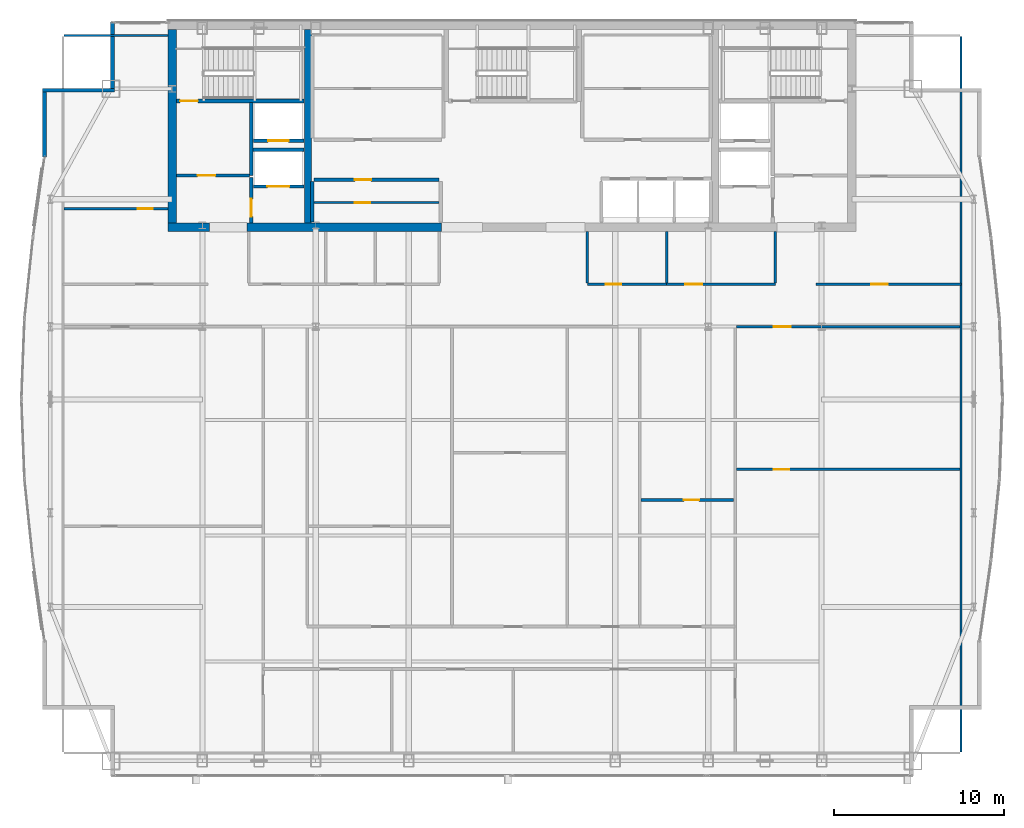
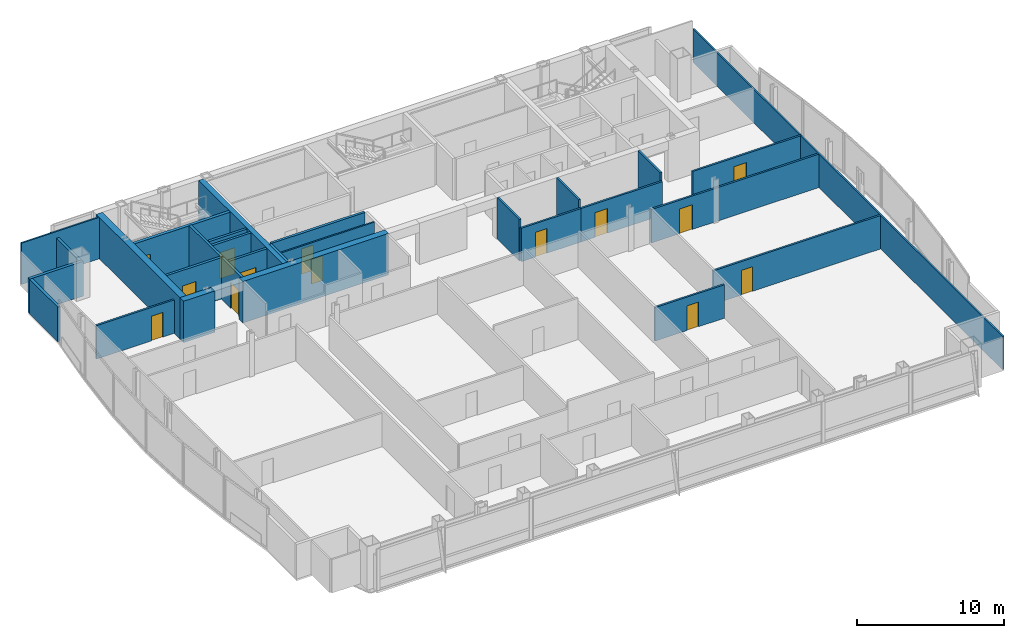
# One storey, part 26 of 30: 29 walls, 14 doors, 14 openings.
"""IFC4 building model written with IfcOpenShell, lengths in metres."""

from ifc_helpers import new_model, si_unit, direction, frame, frame_2d, origin, place, context, subcontext, project, spatial, rectangle, extrude, material, layer, layer_set, type_object, element, fill, save


model = new_model("IFC4")

# Units and contexts
model_context = context("Model", 3, precision=1e-05, world=origin(), true_north=direction((0.0, 1.0)))
body_context = subcontext(model_context, "Body", "Model", "MODEL_VIEW")
ifc_project = project(units=[si_unit("LENGTHUNIT", "METRE"), si_unit("AREAUNIT", "SQUARE_METRE"), si_unit("VOLUMEUNIT", "CUBIC_METRE"), si_unit("PLANEANGLEUNIT", "RADIAN"), si_unit("MASSUNIT", "GRAM", prefix="KILO")], contexts=[model_context])

# Site, building, storey
site_placement = place(None, origin())
site = spatial("IfcSite", under=ifc_project, at=site_placement, CompositionType="ELEMENT")
building_placement = place(site_placement, origin())
building = spatial("IfcBuilding", under=site, at=building_placement, Name="Khoronbel Lancet Exchange", CompositionType="ELEMENT")
storey_placement = place(building_placement, frame((0.0, 0.0, 280.60009765625)))
storey = spatial("IfcBuildingStorey", under=building, at=storey_placement, Name="L72", CompositionType="ELEMENT", Elevation=280.60009765625)

# Walls
ifc_material_1 = material(Name="Concrete C60/75", Category="concrete")
ifc_layer_1 = layer(ifc_material_1, 0.5, Name="Concrete C60/75")
ifc_layer_set_1 = layer_set([ifc_layer_1], Name="Concrete C60/75")
wall_type_1 = type_object("IfcWallType", Name="WL-CW4", PredefinedType="SHEAR", material=ifc_layer_set_1)
wall_1_placement = place(storey_placement, frame((16.449951171875, 41.800048828125, 0.0), z_axis=(0.0, 0.0, 1.0), x_axis=(0.0, 1.0, 0.0)))
element("IfcWall", 1, at=wall_1_placement, inside=storey, type_object=wall_type_1, Name="Level L72 rear core west shear wall", PredefinedType="SHEAR", context=body_context, shape_type="SweptSolid", body=[
    extrude(rectangle(XDim=11.39990234375, YDim=0.5, at=frame_2d((5.699951171875, 0.0))), origin(), (0.0, 0.0, 1.0), 3.43994140625),
])
wall_2_placement = place(storey_placement, frame((18.64990234375, 41.550048828125, 0.0), z_axis=(0.0, 0.0, 1.0), x_axis=(-1.0, 0.0, 0.0)))
element("IfcWall", 2, at=wall_2_placement, inside=storey, type_object=wall_type_1, Name="Level L72 rear core south shear wall pier P1", PredefinedType="SHEAR", context=body_context, shape_type="SweptSolid", body=[
    extrude(rectangle(XDim=2.449951171875, YDim=0.5, at=frame_2d((1.22509765625, 0.0))), origin(), (0.0, 0.0, 1.0), 3.43994140625),
])
wall_3_placement = place(storey_placement, frame((32.300048828125, 41.550048828125, 0.0), z_axis=(0.0, 0.0, 1.0), x_axis=(-1.0, 0.0, 0.0)))
element("IfcWall", 3, at=wall_3_placement, inside=storey, type_object=wall_type_1, Name="Level L72 rear core south shear wall pier P2", PredefinedType="SHEAR", context=body_context, shape_type="SweptSolid", body=[
    extrude(rectangle(XDim=11.449951171875, YDim=0.5, at=frame_2d((5.72509765625, 0.0))), origin(), (0.0, 0.0, 1.0), 3.43994140625),
])
ifc_material_2 = material(Name="Precast concrete C40/50", Category="concrete")
ifc_layer_2 = layer(ifc_material_2, 0.25, Name="Precast concrete C40/50")
ifc_layer_set_2 = layer_set([ifc_layer_2], Name="Precast concrete C40/50")
wall_type_2 = type_object("IfcWallType", Name="WL-EXT250", PredefinedType="SOLIDWALL", material=ifc_layer_set_2)
wall_4_placement = place(storey_placement, frame((8.93994140625, 45.673583984375, 0.0), z_axis=(0.0, 0.0, 1.0), x_axis=(0.0, 1.0, 0.0)))
element("IfcWall", 4, at=wall_4_placement, inside=storey, type_object=wall_type_2, Name="Level L72 notched-corner limestone pier 10", PredefinedType="SOLIDWALL", context=body_context, shape_type="SweptSolid", body=[
    extrude(rectangle(XDim=3.826416015625, YDim=0.219970703125, at=frame_2d((1.9130859375, 0.0))), origin(), (0.0, 0.0, 1.0), 2.8798828125),
])
wall_5_placement = place(storey_placement, frame((8.830078125, 49.610107421875, 0.0), z_axis=(0.0, 0.0, 1.0), x_axis=(1.0, 0.0, 0.0)))
element("IfcWall", 5, at=wall_5_placement, inside=storey, type_object=wall_type_2, Name="Level L72 notched-corner limestone pier 11", PredefinedType="SOLIDWALL", context=body_context, shape_type="SweptSolid", body=[
    extrude(rectangle(XDim=4.219970703125, YDim=0.219970703125, at=frame_2d((2.10986328125, 0.0))), origin(), (0.0, 0.0, 1.0), 2.8798828125),
])
wall_6_placement = place(storey_placement, frame((12.93994140625, 49.719970703125, 0.0), z_axis=(0.0, 0.0, 1.0), x_axis=(0.0, 1.0, 0.0)))
element("IfcWall", 6, at=wall_6_placement, inside=storey, type_object=wall_type_2, Name="Level L72 notched-corner limestone pier 12", PredefinedType="SOLIDWALL", context=body_context, shape_type="SweptSolid", body=[
    extrude(rectangle(XDim=3.909912109375, YDim=0.219970703125, at=frame_2d((1.955078125, 0.0))), origin(), (0.0, 0.0, 1.0), 2.8798828125),
])
ifc_material_3 = material(Name="Acoustic Metal-Stud & Mineral-Wool Gypsum Partition 120 mm", Category="gypsum")
ifc_layer_3 = layer(ifc_material_3, 0.1201171875, Name="Acoustic Metal-Stud & Mineral-Wool Gypsum Partition 120 mm")
ifc_layer_set_3 = layer_set([ifc_layer_3], Name="Acoustic Metal-Stud & Mineral-Wool Gypsum Partition 120 mm")
wall_type_3 = type_object("IfcWallType", Name="WL-PRT120", PredefinedType="PARTITIONING", material=ifc_layer_set_3)
for number, where, z_axis, x_axis, name in (
    (7, (40.8798828125, 38.280029296875, 0.0), (0.0, 0.0, 1.0), (0.0, 1.0, 0.0), "Level L72 interior partition PW-NP-0"),
    (8, (45.550048828125, 38.280029296875, 0.0), (0.0, 0.0, 1.0), (0.0, 1.0, 0.0), "Level L72 interior partition PW-NP-M"),
    (9, (51.949951171875, 38.280029296875, 0.0), (0.0, 0.0, 1.0), (0.0, 1.0, 0.0), "Level L72 interior partition PW-NP-1"),
):
    element("IfcWall", number, at=place(storey_placement, frame(where, z_axis=z_axis, x_axis=x_axis)), inside=storey, type_object=wall_type_3, Name=name, PredefinedType="PARTITIONING", context=body_context, shape_type="SweptSolid", body=[
        extrude(rectangle(XDim=3.02001953125, YDim=0.14990234375, at=frame_2d((1.510009765625, 0.0))), origin(), (0.0, 0.0, 1.0), 3.43994140625),
    ])

# Wall, opening, door
wall_7_placement = place(storey_placement, frame((10.094970703125, 42.64990234375, 0.0), z_axis=(0.0, 0.0, 1.0), x_axis=(1.0, 0.0, 0.0)))
wall_7 = element("IfcWall", 10, at=wall_7_placement, inside=storey, type_object=wall_type_3, Name="Level L72 interior partition PW-NW-H", PredefinedType="PARTITIONING", context=body_context, shape_type="SweptSolid", body=[
    extrude(rectangle(XDim=6.10498046875, YDim=0.14990234375, at=frame_2d((3.052490234375, 0.0))), origin(), (0.0, 0.0, 1.0), 2.77978515625),
])
opening_1_placement = place(wall_7_placement, frame((4.320068359375, 0.0, 0.0)))
opening_1 = element("IfcOpeningElement", 11, at=opening_1_placement, cuts=wall_7, Name="Opening D5", PredefinedType="OPENING", context=body_context, shape_type="SweptSolid", body=[
    extrude(rectangle(XDim=0.89990234375, YDim=2.050048828125, at=frame_2d((0.449951171875, 1.02490234375))), frame((0.0, 0.0849609375, 0.0), z_axis=(0.0, -1.0, 0.0), x_axis=(1.0, 0.0, 0.0)), (0.0, 0.0, 1.0), 0.169921875),
])
ifc_material_4 = material(Name="Acoustic Timber Pantry & Support Door", Category="wood")
door_type_1 = type_object("IfcDoorType", Name="DR-D5", OperationType="NOTDEFINED", PredefinedType="DOOR", material=ifc_material_4)
door_1_placement = place(opening_1_placement, origin())
door_1 = element("IfcDoor", 12, at=door_1_placement, inside=storey, type_object=door_type_1, Name="NW north room door L72-1", OperationType="SINGLE_SWING_RIGHT", OverallHeight=2.050048828125, OverallWidth=0.89990234375, PredefinedType="DOOR", context=body_context, shape_type="SweptSolid", body=[
    extrude(rectangle(XDim=0.89990234375, YDim=2.050048828125, at=frame_2d((0.449951171875, 1.02490234375))), frame((0.0, 0.02490234375, 0.0), z_axis=(0.0, -1.0, 0.0), x_axis=(1.0, 0.0, 0.0)), (0.0, 0.0, 1.0), 0.050048828125),
])
fill(opening_1, door_1)

wall_8_placement = place(storey_placement, frame((49.659912109375, 27.300048828125, 0.0), z_axis=(0.0, 0.0, 1.0), x_axis=(1.0, 0.0, 0.0)))
wall_8 = element("IfcWall", 13, at=wall_8_placement, inside=storey, type_object=wall_type_3, Name="Level L72 interior partition PW-Z4-EH", PredefinedType="PARTITIONING", context=body_context, shape_type="SweptSolid", body=[
    extrude(rectangle(XDim=13.14501953125, YDim=0.14990234375, at=frame_2d((6.572509765625, 0.0))), origin(), (0.0, 0.0, 1.0), 2.77978515625),
])
opening_2_placement = place(wall_8_placement, frame((2.199951171875, 0.0, 0.0)))
opening_2 = element("IfcOpeningElement", 14, at=opening_2_placement, cuts=wall_8, Name="Opening D5", PredefinedType="OPENING", context=body_context, shape_type="SweptSolid", body=[
    extrude(rectangle(XDim=0.89990234375, YDim=2.050048828125, at=frame_2d((0.449951171875, 1.02490234375))), frame((0.0, 0.0849609375, 0.0), z_axis=(0.0, -1.0, 0.0), x_axis=(1.0, 0.0, 0.0)), (0.0, 0.0, 1.0), 0.169921875),
])
door_2_placement = place(opening_2_placement, origin())
door_2 = element("IfcDoor", 15, at=door_2_placement, inside=storey, type_object=door_type_1, Name="East lens inner door L72-1", OperationType="SINGLE_SWING_LEFT", OverallHeight=2.050048828125, OverallWidth=0.89990234375, PredefinedType="DOOR", context=body_context, shape_type="SweptSolid", body=[
    extrude(rectangle(XDim=0.89990234375, YDim=2.050048828125, at=frame_2d((0.449951171875, 1.02490234375))), frame((0.0, 0.02490234375, 0.0), z_axis=(0.0, -1.0, 0.0), x_axis=(1.0, 0.0, 0.0)), (0.0, 0.0, 1.0), 0.050048828125),
])
fill(opening_2, door_2)

wall_9_placement = place(storey_placement, frame((44.0361328125, 25.500732421875, 0.0), z_axis=(0.0, 0.0, 1.0), x_axis=(1.0, 0.0, 0.0)))
wall_9 = element("IfcWall", 16, at=wall_9_placement, inside=storey, type_object=wall_type_3, Name="Level L72 interior partition PW-Z4C-H4", PredefinedType="PARTITIONING", context=body_context, shape_type="SweptSolid", body=[
    extrude(rectangle(XDim=5.4638671875, YDim=0.14990234375, at=frame_2d((2.73193359375, 0.0))), origin(), (0.0, 0.0, 1.0), 2.77978515625),
])
opening_3_placement = place(wall_9_placement, frame((2.53076171875, 0.0, 0.0)))
opening_3 = element("IfcOpeningElement", 17, at=opening_3_placement, cuts=wall_9, Name="Opening D5", PredefinedType="OPENING", context=body_context, shape_type="SweptSolid", body=[
    extrude(rectangle(XDim=0.89990234375, YDim=2.050048828125, at=frame_2d((0.449951171875, 1.02490234375))), frame((0.0, 0.0849609375, 0.0), z_axis=(0.0, -1.0, 0.0), x_axis=(1.0, 0.0, 0.0)), (0.0, 0.0, 1.0), 0.169921875),
])
door_3_placement = place(opening_3_placement, origin())
door_3 = element("IfcDoor", 18, at=door_3_placement, inside=storey, type_object=door_type_1, Name="Z4C inner door 4 L72-1", OperationType="SINGLE_SWING_RIGHT", OverallHeight=2.050048828125, OverallWidth=0.89990234375, PredefinedType="DOOR", context=body_context, shape_type="SweptSolid", body=[
    extrude(rectangle(XDim=0.89990234375, YDim=2.050048828125, at=frame_2d((0.449951171875, 1.02490234375))), frame((0.0, 0.02490234375, 0.0), z_axis=(0.0, -1.0, 0.0), x_axis=(1.0, 0.0, 0.0)), (0.0, 0.0, 1.0), 0.050048828125),
])
fill(opening_3, door_3)

# Walls
wall_10_placement = place(storey_placement, frame((62.8701171875, 10.6650390625, 0.0), z_axis=(0.0, 0.0, 1.0), x_axis=(0.0, 1.0, 0.0)))
element("IfcWall", 19, at=wall_10_placement, inside=storey, type_object=wall_type_3, Name="Level L72 interior partition PW-LIN-E", PredefinedType="PARTITIONING", context=body_context, shape_type="SweptSolid", body=[
    extrude(rectangle(XDim=42.10986328125, YDim=0.1201171875, at=frame_2d((21.054931640625, 0.0))), origin(), (0.0, 0.0, 1.0), 2.77978515625),
])
wall_11_placement = place(storey_placement, frame((10.094970703125, 52.840087890625, 0.0), z_axis=(0.0, 0.0, 1.0), x_axis=(1.0, 0.0, 0.0)))
element("IfcWall", 20, at=wall_11_placement, inside=storey, type_object=wall_type_3, Name="Level L72 interior partition PW-LIN-NW", PredefinedType="PARTITIONING", context=body_context, shape_type="SweptSolid", body=[
    extrude(rectangle(XDim=6.10498046875, YDim=0.1201171875, at=frame_2d((3.052490234375, 0.0))), origin(), (0.0, 0.0, 1.0), 3.43994140625),
])

# Wall, opening, door
ifc_material_5 = material(Name="Fire-Rated Metal-Stud & Mineral-Wool Gypsum Partition 120 mm", Category="gypsum")
ifc_layer_4 = layer(ifc_material_5, 0.1201171875, Name="Fire-Rated Metal-Stud & Mineral-Wool Gypsum Partition 120 mm")
ifc_layer_set_4 = layer_set([ifc_layer_4], Name="Fire-Rated Metal-Stud & Mineral-Wool Gypsum Partition 120 mm")
wall_type_4 = type_object("IfcWallType", Name="WL-PRT120F", PredefinedType="PARTITIONING", material=ifc_layer_set_4)
wall_12_placement = place(storey_placement, frame((24.804931640625, 43.001953125, 0.0), z_axis=(0.0, 0.0, 1.0), x_axis=(1.0, 0.0, 0.0)))
wall_12 = element("IfcWall", 21, at=wall_12_placement, inside=storey, type_object=wall_type_4, Name="Level L72 interior partition CW-PM-RH", PredefinedType="PARTITIONING", context=body_context, shape_type="SweptSolid", body=[
    extrude(rectangle(XDim=7.340087890625, YDim=0.1201171875, at=frame_2d((3.669921875, 0.0))), origin(), (0.0, 0.0, 1.0), 3.43994140625),
])
opening_4_placement = place(wall_12_placement, frame((2.39990234375, 0.0, 0.0)))
opening_4 = element("IfcOpeningElement", 22, at=opening_4_placement, cuts=wall_12, Name="Opening FD4", PredefinedType="OPENING", context=body_context, shape_type="SweptSolid", body=[
    extrude(rectangle(XDim=0.89990234375, YDim=2.050048828125, at=frame_2d((0.449951171875, 1.02490234375))), frame((0.0, 0.070068359375, 0.0), z_axis=(0.0, -1.0, 0.0), x_axis=(1.0, 0.0, 0.0)), (0.0, 0.0, 1.0), 0.14013671875),
])
ifc_material_6 = material(Name="Fire-Rated Steel Core Support Door Assembly", Category="steel")
door_type_2 = type_object("IfcDoorType", Name="DR-FD4", OperationType="NOTDEFINED", PredefinedType="DOOR", material=ifc_material_6)
door_4_placement = place(opening_4_placement, origin())
door_4 = element("IfcDoor", 23, at=door_4_placement, inside=storey, type_object=door_type_2, Name="Core PM inner store door L72-1", OperationType="SINGLE_SWING_LEFT", OverallHeight=2.050048828125, OverallWidth=0.89990234375, PredefinedType="DOOR", context=body_context, shape_type="SweptSolid", body=[
    extrude(rectangle(XDim=0.89990234375, YDim=2.050048828125, at=frame_2d((0.449951171875, 1.02490234375))), frame((0.0, 0.02490234375, 0.0), z_axis=(0.0, -1.0, 0.0), x_axis=(1.0, 0.0, 0.0)), (0.0, 0.0, 1.0), 0.050048828125),
])
fill(opening_4, door_4)

ifc_material_7 = material(Name="Fire-Rated Twin-Stud Acoustic Gypsum Partition 150 mm", Category="gypsum")
ifc_layer_5 = layer(ifc_material_7, 0.14990234375, Name="Fire-Rated Twin-Stud Acoustic Gypsum Partition 150 mm")
ifc_layer_set_5 = layer_set([ifc_layer_5], Name="Fire-Rated Twin-Stud Acoustic Gypsum Partition 150 mm")
wall_type_5 = type_object("IfcWallType", Name="WL-PRT150C", PredefinedType="PARTITIONING", material=ifc_layer_set_5)
wall_13_placement = place(storey_placement, frame((40.8798828125, 38.199951171875, 0.0), z_axis=(0.0, 0.0, 1.0), x_axis=(1.0, 0.0, 0.0)))
wall_13 = element("IfcWall", 24, at=wall_13_placement, inside=storey, type_object=wall_type_5, Name="Level L72 interior partition PW-NP-S1", PredefinedType="PARTITIONING", context=body_context, shape_type="SweptSolid", body=[
    extrude(rectangle(XDim=4.670166015625, YDim=0.14990234375, at=frame_2d((2.3349609375, 0.0))), origin(), (0.0, 0.0, 1.0), 2.77978515625),
])
opening_5_placement = place(wall_13_placement, frame((1.10009765625, 0.0, 0.0)))
opening_5 = element("IfcOpeningElement", 25, at=opening_5_placement, cuts=wall_13, Name="Opening D5", PredefinedType="OPENING", context=body_context, shape_type="SweptSolid", body=[
    extrude(rectangle(XDim=0.89990234375, YDim=2.050048828125, at=frame_2d((0.449951171875, 1.02490234375))), frame((0.0, 0.0849609375, 0.0), z_axis=(0.0, -1.0, 0.0), x_axis=(1.0, 0.0, 0.0)), (0.0, 0.0, 1.0), 0.169921875),
])
door_5_placement = place(opening_5_placement, origin())
door_5 = element("IfcDoor", 26, at=door_5_placement, inside=storey, type_object=door_type_1, Name="Floor refreshment pantry door L72-1", OperationType="SINGLE_SWING_RIGHT", OverallHeight=2.050048828125, OverallWidth=0.89990234375, PredefinedType="DOOR", context=body_context, shape_type="SweptSolid", body=[
    extrude(rectangle(XDim=0.89990234375, YDim=2.050048828125, at=frame_2d((0.449951171875, 1.02490234375))), frame((0.0, 0.02490234375, 0.0), z_axis=(0.0, -1.0, 0.0), x_axis=(1.0, 0.0, 0.0)), (0.0, 0.0, 1.0), 0.050048828125),
])
fill(opening_5, door_5)

wall_14_placement = place(storey_placement, frame((45.550048828125, 38.199951171875, 0.0), z_axis=(0.0, 0.0, 1.0), x_axis=(1.0, 0.0, 0.0)))
wall_14 = element("IfcWall", 27, at=wall_14_placement, inside=storey, type_object=wall_type_5, Name="Level L72 interior partition PW-NP-S2", PredefinedType="PARTITIONING", context=body_context, shape_type="SweptSolid", body=[
    extrude(rectangle(XDim=6.39990234375, YDim=0.14990234375, at=frame_2d((3.199951171875, 0.0))), origin(), (0.0, 0.0, 1.0), 2.77978515625),
])
opening_6_placement = place(wall_14_placement, frame((1.10009765625, 0.0, 0.0)))
opening_6 = element("IfcOpeningElement", 28, at=opening_6_placement, cuts=wall_14, Name="Opening D2", PredefinedType="OPENING", context=body_context, shape_type="SweptSolid", body=[
    extrude(rectangle(XDim=1.0, YDim=2.050048828125, at=frame_2d((0.5, 1.02490234375))), frame((0.0, 0.0849609375, 0.0), z_axis=(0.0, -1.0, 0.0), x_axis=(1.0, 0.0, 0.0)), (0.0, 0.0, 1.0), 0.169921875),
])
ifc_material_8 = material(Name="Acoustic Veneered Timber & Bronze Frame Door", Category="wood")
door_type_3 = type_object("IfcDoorType", Name="DR-D2", OperationType="NOTDEFINED", PredefinedType="DOOR", material=ifc_material_8)
door_6_placement = place(opening_6_placement, origin())
door_6 = element("IfcDoor", 29, at=door_6_placement, inside=storey, type_object=door_type_3, Name="Floor store door L72-1", OperationType="SINGLE_SWING_LEFT", OverallHeight=2.050048828125, OverallWidth=1.0, PredefinedType="DOOR", context=body_context, shape_type="SweptSolid", body=[
    extrude(rectangle(XDim=1.0, YDim=2.050048828125, at=frame_2d((0.5, 1.02490234375))), frame((0.0, 0.02490234375, 0.0), z_axis=(0.0, -1.0, 0.0), x_axis=(1.0, 0.0, 0.0)), (0.0, 0.0, 1.0), 0.050048828125),
])
fill(opening_6, door_6)

wall_15_placement = place(storey_placement, frame((54.35009765625, 38.199951171875, 0.0), z_axis=(0.0, 0.0, 1.0), x_axis=(1.0, 0.0, 0.0)))
wall_15 = element("IfcWall", 30, at=wall_15_placement, inside=storey, type_object=wall_type_5, Name="Level L72 interior partition PW-NE-S", PredefinedType="PARTITIONING", context=body_context, shape_type="SweptSolid", body=[
    extrude(rectangle(XDim=8.52001953125, YDim=0.14990234375, at=frame_2d((4.260009765625, 0.0))), origin(), (0.0, 0.0, 1.0), 2.77978515625),
])
opening_7_placement = place(wall_15_placement, frame((3.25, 0.0, 0.0)))
opening_7 = element("IfcOpeningElement", 31, at=opening_7_placement, cuts=wall_15, Name="Opening D1", PredefinedType="OPENING", context=body_context, shape_type="SweptSolid", body=[
    extrude(rectangle(XDim=0.949951171875, YDim=2.050048828125, at=frame_2d((0.47509765625, 1.02490234375))), frame((0.0, 0.0849609375, 0.0), z_axis=(0.0, -1.0, 0.0), x_axis=(1.0, 0.0, 0.0)), (0.0, 0.0, 1.0), 0.169921875),
])
door_type_4 = type_object("IfcDoorType", Name="DR-D1", OperationType="NOTDEFINED", PredefinedType="DOOR", material=ifc_material_8)
door_7_placement = place(opening_7_placement, origin())
door_7 = element("IfcDoor", 32, at=door_7_placement, inside=storey, type_object=door_type_4, Name="NE corner room door L72-1", OperationType="SINGLE_SWING_LEFT", OverallHeight=2.050048828125, OverallWidth=0.949951171875, PredefinedType="DOOR", context=body_context, shape_type="SweptSolid", body=[
    extrude(rectangle(XDim=0.949951171875, YDim=2.050048828125, at=frame_2d((0.47509765625, 1.02490234375))), frame((0.0, 0.02490234375, 0.0), z_axis=(0.0, -1.0, 0.0), x_axis=(1.0, 0.0, 0.0)), (0.0, 0.0, 1.0), 0.050048828125),
])
fill(opening_7, door_7)

wall_16_placement = place(storey_placement, frame((49.659912109375, 35.699951171875, 0.0), z_axis=(0.0, 0.0, 1.0), x_axis=(1.0, 0.0, 0.0)))
wall_16 = element("IfcWall", 33, at=wall_16_placement, inside=storey, type_object=wall_type_5, Name="Level L72 interior partition PW-Z4-EN2", PredefinedType="PARTITIONING", context=body_context, shape_type="SweptSolid", body=[
    extrude(rectangle(XDim=13.14501953125, YDim=0.14990234375, at=frame_2d((6.572509765625, 0.0))), origin(), (0.0, 0.0, 1.0), 2.77978515625),
])
opening_8_placement = place(wall_16_placement, frame((2.199951171875, 0.0, 0.0)))
opening_8 = element("IfcOpeningElement", 34, at=opening_8_placement, cuts=wall_16, Name="Opening D2", PredefinedType="OPENING", context=body_context, shape_type="SweptSolid", body=[
    extrude(rectangle(XDim=1.0, YDim=2.050048828125, at=frame_2d((0.5, 1.02490234375))), frame((0.0, 0.0849609375, 0.0), z_axis=(0.0, -1.0, 0.0), x_axis=(1.0, 0.0, 0.0)), (0.0, 0.0, 1.0), 0.169921875),
])
door_8_placement = place(opening_8_placement, origin())
door_8 = element("IfcDoor", 35, at=door_8_placement, inside=storey, type_object=door_type_3, Name="East lens north door L72-1", OperationType="SINGLE_SWING_RIGHT", OverallHeight=2.050048828125, OverallWidth=1.0, PredefinedType="DOOR", context=body_context, shape_type="SweptSolid", body=[
    extrude(rectangle(XDim=1.0, YDim=2.050048828125, at=frame_2d((0.5, 1.02490234375))), frame((0.0, 0.02490234375, 0.0), z_axis=(0.0, -1.0, 0.0), x_axis=(1.0, 0.0, 0.0)), (0.0, 0.0, 1.0), 0.050048828125),
])
fill(opening_8, door_8)

ifc_material_9 = material(Name="Autoclaved Aerated Concrete Blockwork 200 mm", Category="masonry")
ifc_layer_6 = layer(ifc_material_9, 0.199951171875, Name="Autoclaved Aerated Concrete Blockwork 200 mm")
ifc_layer_set_6 = layer_set([ifc_layer_6], Name="Autoclaved Aerated Concrete Blockwork 200 mm")
wall_type_6 = type_object("IfcWallType", Name="WL-PRT200", PredefinedType="PARTITIONING", material=ifc_layer_set_6)
wall_17_placement = place(storey_placement, frame((24.2099609375, 43.949951171875, 0.0), z_axis=(0.0, 0.0, 1.0), x_axis=(-1.0, 0.0, 0.0)))
wall_17 = element("IfcWall", 36, at=wall_17_placement, inside=storey, type_object=wall_type_6, Name="Level L72 elevator hoistway landing front wall SVLW", PredefinedType="PARTITIONING", context=body_context, shape_type="SweptSolid", body=[
    extrude(rectangle(XDim=2.969970703125, YDim=0.199951171875, at=frame_2d((1.48486328125, 0.0))), origin(), (0.0, 0.0, 1.0), 3.43994140625),
])
opening_9_placement = place(wall_17_placement, frame((0.860107421875, 0.0, 0.0)))
opening_9 = element("IfcOpeningElement", 37, at=opening_9_placement, cuts=wall_17, Name="Opening LD-SVL1", PredefinedType="OPENING", context=body_context, shape_type="SweptSolid", body=[
    extrude(rectangle(XDim=1.300048828125, YDim=2.179931640625, at=frame_2d((0.64990234375, 1.08984375))), frame((0.0, 0.10986328125, 0.0), z_axis=(0.0, -1.0, 0.0), x_axis=(1.0, 0.0, 0.0)), (0.0, 0.0, 1.0), 0.219970703125),
])
ifc_material_10 = material(Name="Heavy-Duty Bi-Parting Goods Lift Landing Door", Category="steel")
door_type_5 = type_object("IfcDoorType", Name="DR-LD-SVL", OperationType="NOTDEFINED", PredefinedType="DOOR", material=ifc_material_10)
door_9_placement = place(opening_9_placement, origin())
door_9 = element("IfcDoor", 38, at=door_9_placement, inside=storey, type_object=door_type_5, Name="Elevator landing sliding door LD-SVL1 L72", OperationType="SLIDING_TO_LEFT", OverallHeight=2.179931640625, OverallWidth=1.300048828125, PredefinedType="DOOR", context=body_context, shape_type="SweptSolid", body=[
    extrude(rectangle(XDim=1.300048828125, YDim=2.179931640625, at=frame_2d((0.64990234375, 1.08984375))), frame((0.0, 0.02490234375, 0.0), z_axis=(0.0, -1.0, 0.0), x_axis=(1.0, 0.0, 0.0)), (0.0, 0.0, 1.0), 0.050048828125),
])
fill(opening_9, door_9)

wall_18_placement = place(storey_placement, frame((24.2099609375, 46.64990234375, 0.0), z_axis=(0.0, 0.0, 1.0), x_axis=(-1.0, 0.0, 0.0)))
wall_18 = element("IfcWall", 39, at=wall_18_placement, inside=storey, type_object=wall_type_6, Name="Level L72 elevator hoistway landing front wall FFLW", PredefinedType="PARTITIONING", context=body_context, shape_type="SweptSolid", body=[
    extrude(rectangle(XDim=2.969970703125, YDim=0.199951171875, at=frame_2d((1.48486328125, 0.0))), origin(), (0.0, 0.0, 1.0), 3.43994140625),
])
opening_10_placement = place(wall_18_placement, frame((0.909912109375, 0.0, 0.0)))
opening_10 = element("IfcOpeningElement", 40, at=opening_10_placement, cuts=wall_18, Name="Opening LD-FFL1", PredefinedType="OPENING", context=body_context, shape_type="SweptSolid", body=[
    extrude(rectangle(XDim=1.199951171875, YDim=2.179931640625, at=frame_2d((0.60009765625, 1.08984375))), frame((0.0, 0.10986328125, 0.0), z_axis=(0.0, -1.0, 0.0), x_axis=(1.0, 0.0, 0.0)), (0.0, 0.0, 1.0), 0.219970703125),
])
ifc_material_11 = material(Name="Fire-Rated Stainless Bi-Parting Firefighting Lift Door", Category="steel")
door_type_6 = type_object("IfcDoorType", Name="DR-LD-FFL", OperationType="NOTDEFINED", PredefinedType="DOOR", material=ifc_material_11)
door_10_placement = place(opening_10_placement, origin())
door_10 = element("IfcDoor", 41, at=door_10_placement, inside=storey, type_object=door_type_6, Name="Elevator landing sliding door LD-FFL1 L72", OperationType="SLIDING_TO_LEFT", OverallHeight=2.179931640625, OverallWidth=1.199951171875, PredefinedType="DOOR", context=body_context, shape_type="SweptSolid", body=[
    extrude(rectangle(XDim=1.199951171875, YDim=2.179931640625, at=frame_2d((0.60009765625, 1.08984375))), frame((0.0, 0.02490234375, 0.0), z_axis=(0.0, -1.0, 0.0), x_axis=(1.0, 0.0, 0.0)), (0.0, 0.0, 1.0), 0.050048828125),
])
fill(opening_10, door_10)

# Wall
wall_19_placement = place(storey_placement, frame((21.10009765625, 44.60009765625, 0.0), z_axis=(0.0, 0.0, 1.0), x_axis=(0.0, 1.0, 0.0)))
element("IfcWall", 42, at=wall_19_placement, inside=storey, type_object=wall_type_6, Name="Level L72 interior partition CW-FFLW-E", PredefinedType="PARTITIONING", context=body_context, shape_type="SweptSolid", body=[
    extrude(rectangle(XDim=4.2998046875, YDim=0.199951171875, at=frame_2d((2.14990234375, 0.0))), origin(), (0.0, 0.0, 1.0), 3.43994140625),
])

# Wall, opening, door
wall_20_placement = place(storey_placement, frame((16.699951171875, 44.60009765625, 0.0), z_axis=(0.0, 0.0, 1.0), x_axis=(1.0, 0.0, 0.0)))
wall_20 = element("IfcWall", 43, at=wall_20_placement, inside=storey, type_object=wall_type_6, Name="Level L72 interior partition CW-FFLW-S", PredefinedType="PARTITIONING", context=body_context, shape_type="SweptSolid", body=[
    extrude(rectangle(XDim=4.300048828125, YDim=0.199951171875, at=frame_2d((2.14990234375, 0.0))), origin(), (0.0, 0.0, 1.0), 3.43994140625),
])
opening_11_placement = place(wall_20_placement, frame((1.25, 0.0, 0.0)))
opening_11 = element("IfcOpeningElement", 44, at=opening_11_placement, cuts=wall_20, Name="Opening FD1", PredefinedType="OPENING", context=body_context, shape_type="SweptSolid", body=[
    extrude(rectangle(XDim=1.050048828125, YDim=2.14990234375, at=frame_2d((0.52490234375, 1.074951171875))), frame((0.0, 0.10986328125, 0.0), z_axis=(0.0, -1.0, 0.0), x_axis=(1.0, 0.0, 0.0)), (0.0, 0.0, 1.0), 0.219970703125),
])
ifc_material_12 = material(Name="Fire-Rated Painted Steel Door Assembly", Category="steel")
door_type_7 = type_object("IfcDoorType", Name="DR-FD1", OperationType="NOTDEFINED", PredefinedType="DOOR", material=ifc_material_12)
door_11_placement = place(opening_11_placement, origin())
door_11 = element("IfcDoor", 45, at=door_11_placement, inside=storey, type_object=door_type_7, Name="West firefighting lobby FD90S door L72-1", OperationType="SINGLE_SWING_LEFT", OverallHeight=2.14990234375, OverallWidth=1.050048828125, PredefinedType="DOOR", context=body_context, shape_type="SweptSolid", body=[
    extrude(rectangle(XDim=1.050048828125, YDim=2.14990234375, at=frame_2d((0.52490234375, 1.074951171875))), frame((0.0, 0.02490234375, 0.0), z_axis=(0.0, -1.0, 0.0), x_axis=(1.0, 0.0, 0.0)), (0.0, 0.0, 1.0), 0.050048828125),
])
fill(opening_11, door_11)

# Wall
wall_21_placement = place(storey_placement, frame((21.199951171875, 46.1201171875, 0.0), z_axis=(0.0, 0.0, 1.0), x_axis=(1.0, 0.0, 0.0)))
element("IfcWall", 46, at=wall_21_placement, inside=storey, type_object=wall_type_6, Name="Level L72 interior partition CW-FFL1-S", PredefinedType="PARTITIONING", context=body_context, shape_type="SweptSolid", body=[
    extrude(rectangle(XDim=3.02001953125, YDim=0.199951171875, at=frame_2d((1.510009765625, 0.0))), origin(), (0.0, 0.0, 1.0), 3.43994140625),
])

# Wall, opening, door
wall_22_placement = place(storey_placement, frame((21.10009765625, 41.800048828125, 0.0), z_axis=(0.0, 0.0, 1.0), x_axis=(0.0, 1.0, 0.0)))
wall_22 = element("IfcWall", 47, at=wall_22_placement, inside=storey, type_object=wall_type_6, Name="Level L72 interior partition CW-SVLW-W", PredefinedType="PARTITIONING", context=body_context, shape_type="SweptSolid", body=[
    extrude(rectangle(XDim=2.695068359375, YDim=0.199951171875, at=frame_2d((1.34765625, 0.0))), origin(), (0.0, 0.0, 1.0), 3.43994140625),
])
opening_12_placement = place(wall_22_placement, frame((0.3798828125, 0.0, 0.0)))
opening_12 = element("IfcOpeningElement", 48, at=opening_12_placement, cuts=wall_22, Name="Opening FD1", PredefinedType="OPENING", context=body_context, shape_type="SweptSolid", body=[
    extrude(rectangle(XDim=1.050048828125, YDim=2.14990234375, at=frame_2d((0.52490234375, 1.074951171875))), frame((0.0, 0.10986328125, 0.0), z_axis=(0.0, -1.0, 0.0), x_axis=(1.0, 0.0, 0.0)), (0.0, 0.0, 1.0), 0.219970703125),
])
door_12_placement = place(opening_12_placement, origin())
door_12 = element("IfcDoor", 49, at=door_12_placement, inside=storey, type_object=door_type_7, Name="West service lift lobby door L72-1", OperationType="SINGLE_SWING_RIGHT", OverallHeight=2.14990234375, OverallWidth=1.050048828125, PredefinedType="DOOR", context=body_context, shape_type="SweptSolid", body=[
    extrude(rectangle(XDim=1.050048828125, YDim=2.14990234375, at=frame_2d((0.52490234375, 1.074951171875))), frame((0.0, 0.02490234375, 0.0), z_axis=(0.0, -1.0, 0.0), x_axis=(1.0, 0.0, 0.0)), (0.0, 0.0, 1.0), 0.050048828125),
])
fill(opening_12, door_12)

# Wall
wall_23_placement = place(storey_placement, frame((24.699951171875, 41.85009765625, 0.0), z_axis=(0.0, 0.0, 1.0), x_axis=(0.0, 1.0, 0.0)))
element("IfcWall", 50, at=wall_23_placement, inside=storey, type_object=wall_type_6, Name="Level L72 interior partition CW-PM-RW", PredefinedType="PARTITIONING", context=body_context, shape_type="SweptSolid", body=[
    extrude(rectangle(XDim=2.39501953125, YDim=0.199951171875, at=frame_2d((1.197509765625, 0.0))), origin(), (0.0, 0.0, 1.0), 3.43994140625),
])

# Wall, opening, door
wall_24_placement = place(storey_placement, frame((24.804931640625, 44.35009765625, 0.0), z_axis=(0.0, 0.0, 1.0), x_axis=(1.0, 0.0, 0.0)))
wall_24 = element("IfcWall", 51, at=wall_24_placement, inside=storey, type_object=wall_type_6, Name="Level L72 interior partition CW-PM-RF", PredefinedType="PARTITIONING", context=body_context, shape_type="SweptSolid", body=[
    extrude(rectangle(XDim=7.340087890625, YDim=0.199951171875, at=frame_2d((3.669921875, 0.0))), origin(), (0.0, 0.0, 1.0), 3.43994140625),
])
opening_13_placement = place(wall_24_placement, frame((2.39990234375, 0.0, 0.0)))
opening_13 = element("IfcOpeningElement", 52, at=opening_13_placement, cuts=wall_24, Name="Opening FD3", PredefinedType="OPENING", context=body_context, shape_type="SweptSolid", body=[
    extrude(rectangle(XDim=0.949951171875, YDim=2.10009765625, at=frame_2d((0.47509765625, 1.050048828125))), frame((0.0, 0.10986328125, 0.0), z_axis=(0.0, -1.0, 0.0), x_axis=(1.0, 0.0, 0.0)), (0.0, 0.0, 1.0), 0.219970703125),
])
ifc_material_13 = material(Name="Fire-Rated Steel Plant & Riser Door Assembly", Category="steel")
door_type_8 = type_object("IfcDoorType", Name="DR-FD3", OperationType="NOTDEFINED", PredefinedType="DOOR", material=ifc_material_13)
door_13_placement = place(opening_13_placement, origin())
door_13 = element("IfcDoor", 53, at=door_13_placement, inside=storey, type_object=door_type_8, Name="Core PM merged gallery room door L72-1", OperationType="SINGLE_SWING_RIGHT", OverallHeight=2.10009765625, OverallWidth=0.949951171875, PredefinedType="DOOR", context=body_context, shape_type="SweptSolid", body=[
    extrude(rectangle(XDim=0.949951171875, YDim=2.10009765625, at=frame_2d((0.47509765625, 1.050048828125))), frame((0.0, 0.02490234375, 0.0), z_axis=(0.0, -1.0, 0.0), x_axis=(1.0, 0.0, 0.0)), (0.0, 0.0, 1.0), 0.050048828125),
])
fill(opening_13, door_13)

# Wall
ifc_layer_7 = layer(ifc_material_1, 0.39990234375, Name="Concrete C60/75")
ifc_layer_set_7 = layer_set([ifc_layer_7], Name="Concrete C60/75")
wall_type_7 = type_object("IfcWallType", Name="WL-SW2", PredefinedType="SHEAR", material=ifc_layer_set_7)
wall_25_placement = place(storey_placement, frame((24.449951171875, 41.800048828125, 0.0), z_axis=(0.0, 0.0, 1.0), x_axis=(0.0, 1.0, 0.0)))
element("IfcWall", 54, at=wall_25_placement, inside=storey, type_object=wall_type_7, Name="Level L72 rear core internal spine shear wall IW", PredefinedType="SHEAR", context=body_context, shape_type="SweptSolid", body=[
    extrude(rectangle(XDim=11.39990234375, YDim=0.39990234375, at=frame_2d((5.699951171875, 0.0))), origin(), (0.0, 0.0, 1.0), 3.43994140625),
])

# Wall, opening, door
ifc_layer_8 = layer(ifc_material_1, 0.260009765625, Name="Concrete C60/75")
ifc_layer_set_8 = layer_set([ifc_layer_8], Name="Concrete C60/75")
wall_type_8 = type_object("IfcWallType", Name="WL-SW3", PredefinedType="SHEAR", material=ifc_layer_set_8)
wall_26_placement = place(storey_placement, frame((16.699951171875, 48.97998046875, 0.0), z_axis=(0.0, 0.0, 1.0), x_axis=(1.0, 0.0, 0.0)))
wall_26 = element("IfcWall", 55, at=wall_26_placement, inside=storey, type_object=wall_type_8, Name="Level L72 west stairwell structural south wall", PredefinedType="SHEAR", context=body_context, shape_type="SweptSolid", body=[
    extrude(rectangle(XDim=7.52001953125, YDim=0.239990234375, at=frame_2d((3.760009765625, 0.0))), origin(), (0.0, 0.0, 1.0), 3.43994140625),
])
opening_14_placement = place(wall_26_placement, frame((0.219970703125, 0.0, 0.0)))
opening_14 = element("IfcOpeningElement", 56, at=opening_14_placement, cuts=wall_26, Name="Opening SD1", PredefinedType="OPENING", context=body_context, shape_type="SweptSolid", body=[
    extrude(rectangle(XDim=1.050048828125, YDim=2.14990234375, at=frame_2d((0.52490234375, 1.074951171875))), frame((0.0, 0.1298828125, 0.0), z_axis=(0.0, -1.0, 0.0), x_axis=(1.0, 0.0, 0.0)), (0.0, 0.0, 1.0), 0.260009765625),
])
ifc_material_14 = material(Name="Fire-Rated Steel Stairwell Door Assembly", Category="steel")
door_type_9 = type_object("IfcDoorType", Name="DR-SD1", OperationType="NOTDEFINED", PredefinedType="DOOR", material=ifc_material_14)
door_14_placement = place(opening_14_placement, origin())
door_14 = element("IfcDoor", 57, at=door_14_placement, inside=storey, type_object=door_type_9, Name="Protected exit stair ST1 door L72", OperationType="SINGLE_SWING_LEFT", OverallHeight=2.14990234375, OverallWidth=1.050048828125, PredefinedType="DOOR", context=body_context, shape_type="SweptSolid", body=[
    extrude(rectangle(XDim=1.050048828125, YDim=2.14990234375, at=frame_2d((0.52490234375, 1.074951171875))), frame((0.0, 0.02490234375, 0.0), z_axis=(0.0, -1.0, 0.0), x_axis=(1.0, 0.0, 0.0)), (0.0, 0.0, 1.0), 0.050048828125),
])
fill(opening_14, door_14)

save(model, "model.ifc")
